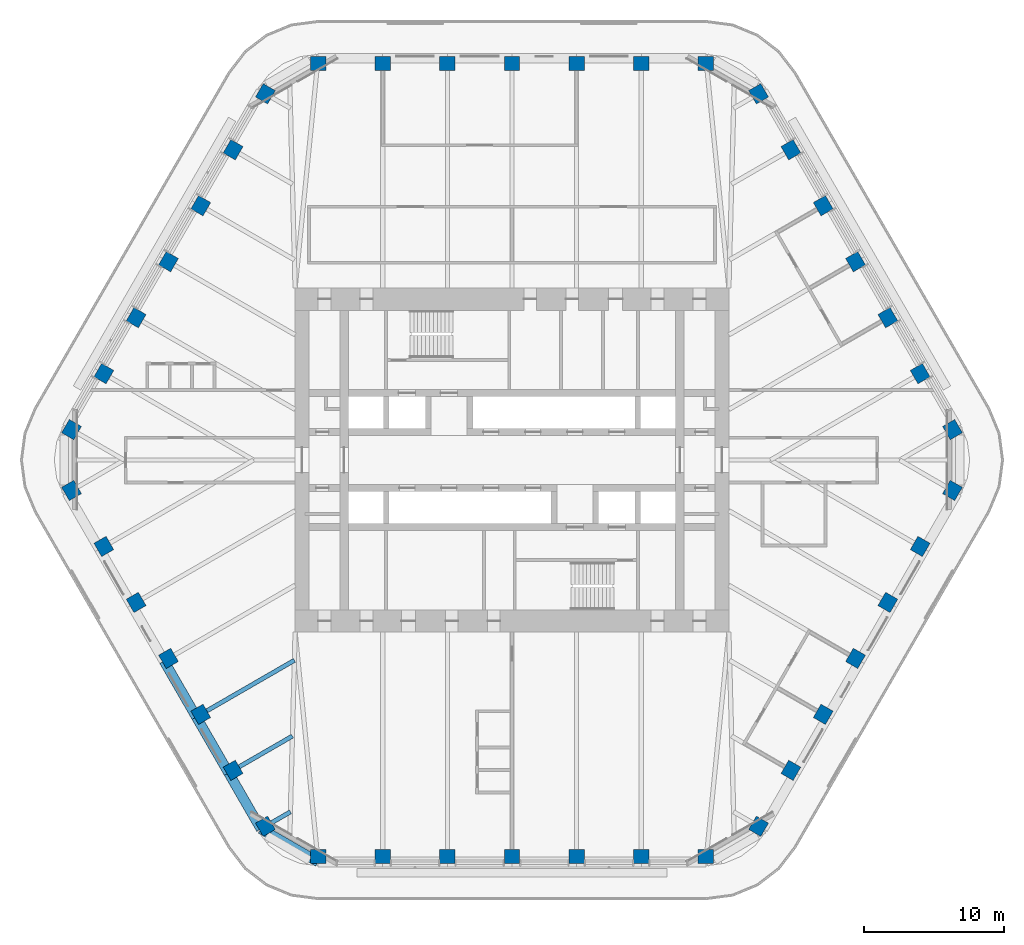
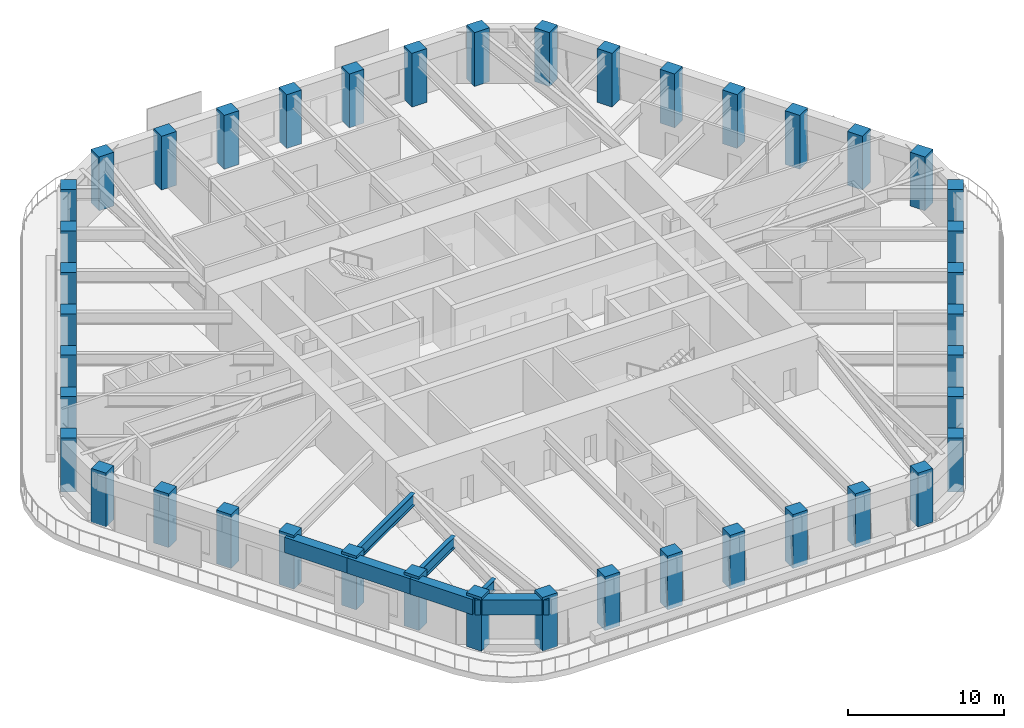
# One storey, part 1 of 20: 42 columns, 7 beams.
"""IFC4 building model written with IfcOpenShell, lengths in metres."""

import ifcopenshell
import ifcopenshell.guid

model = None  # the IFC model being written
_history = None  # IfcOwnerHistory: only IFC2X3 demands one
_inside = {}  # id of a spatial element -> (the spatial element, [elements in it])
_under = {}  # id of a project, library or spatial element -> (it, [spatial elements below it])
_declared = {}  # id of a project -> (the project, [libraries it declares])
_typed = {}  # id of a type object -> (the type object, [elements of that type])
_made_of = {}  # id of a material, layer set ... -> (it, [elements and type objects made of it])


def new_model(schema):
    """Start an empty IFC model of exactly this schema.

    Asked for "IFC4X3", IfcOpenShell would pick the latest addendum, in which some entities
    have other attributes; the version numbers below select the first issue.
    IFC2X3 requires an IfcOwnerHistory on every rooted entity: one is made here for all.
    """
    global model, _history
    if schema == "IFC4X3":
        model = ifcopenshell.file(schema_version=(4, 3, 0, 0))
    else:
        model = ifcopenshell.file(schema=schema)
    _inside.clear()
    _under.clear()
    _declared.clear()
    _typed.clear()
    _made_of.clear()
    _history = None
    if model.schema == "IFC2X3":
        org = make("IfcOrganization", Name="unknown")
        user = make(
            "IfcPersonAndOrganization",
            ThePerson=make("IfcPerson", FamilyName="unknown"),
            TheOrganization=org,
        )
        app = make(
            "IfcApplication",
            ApplicationDeveloper=org,
            Version="unknown",
            ApplicationFullName="unknown",
            ApplicationIdentifier="unknown",
        )
        _history = make(
            "IfcOwnerHistory",
            OwningUser=user,
            OwningApplication=app,
            ChangeAction="ADDED",
            CreationDate=0,
        )
    return model


def make(cls, **values):
    """One entity of the class cls with the attributes given. An attribute that is None is left unset."""
    return model.create_entity(
        cls, **{name: value for name, value in values.items() if value is not None}
    )


def rooted(cls, **values):
    """An entity with a GlobalId (a new one), such as an element, a storey or a relation."""
    return make(cls, GlobalId=ifcopenshell.guid.new(), OwnerHistory=_history, **values)


def si_unit(unit_type, name, prefix=None):
    """IfcSIUnit, for example si_unit("LENGTHUNIT", "METRE", prefix="MILLI")."""
    return make("IfcSIUnit", UnitType=unit_type, Prefix=prefix, Name=name)


def assignment(units):
    """IfcUnitAssignment: the units of a project."""
    return None if units is None else make("IfcUnitAssignment", Units=units)


def point(xyz):
    """IfcCartesianPoint."""
    return None if xyz is None else make("IfcCartesianPoint", Coordinates=xyz)


def direction(xyz):
    """IfcDirection."""
    return None if xyz is None else make("IfcDirection", DirectionRatios=xyz)


def frame(location, z_axis=None, x_axis=None):
    """IfcAxis2Placement3D, a coordinate frame: its origin and axes. An axis left out is left unset."""
    return make(
        "IfcAxis2Placement3D",
        Location=point(location),
        Axis=direction(z_axis),
        RefDirection=direction(x_axis),
    )


def frame_2d(location, x_axis=None):
    """IfcAxis2Placement2D, a coordinate frame in the plane: its origin and x axis."""
    return make(
        "IfcAxis2Placement2D", Location=point(location), RefDirection=direction(x_axis)
    )


def origin():
    """The frame at (0, 0, 0) with its axes left unset."""
    return frame((0.0, 0.0, 0.0))


def origin_2d():
    """The frame at (0, 0) in the plane with its x axis left unset."""
    return frame_2d((0.0, 0.0))


def place(relative_to, where):
    """IfcLocalPlacement: puts the frame where relative to a parent placement (None: the world)."""
    return make(
        "IfcLocalPlacement", PlacementRelTo=relative_to, RelativePlacement=where
    )


def context(
    kind, dimensions, precision=None, world=None, true_north=None, identifier=None
):
    """IfcGeometricRepresentationContext, for example the 3D "Model" context."""
    return make(
        "IfcGeometricRepresentationContext",
        ContextIdentifier=identifier,
        ContextType=kind,
        CoordinateSpaceDimension=dimensions,
        Precision=precision,
        WorldCoordinateSystem=world,
        TrueNorth=true_north,
    )


def subcontext(parent, identifier, kind, view, scale=None):
    """IfcGeometricRepresentationSubContext, for example "Body" below "Model"."""
    return make(
        "IfcGeometricRepresentationSubContext",
        ContextIdentifier=identifier,
        ContextType=kind,
        ParentContext=parent,
        TargetScale=scale,
        TargetView=view,
    )


def project(units=None, contexts=None):
    """IfcProject with its units and contexts."""
    return rooted(
        "IfcProject",
        Name="project",
        RepresentationContexts=contexts,
        UnitsInContext=assignment(units),
    )


def spatial(cls, under=None, at=None, **own):
    """A site, building, storey or space (cls), placed at a placement, below another one or the project."""
    s = rooted(cls, ObjectPlacement=at, **own)
    if under is not None:
        _under.setdefault(under.id(), (under, []))[1].append(s)
    return s


def profile(cls, at=None, kind="AREA", **sizes):
    """A parametric profile (cls). Its sizes go by their IFC names, for example OverallWidth=200.0."""
    return make(cls, ProfileType=kind, Position=at, **sizes)


def rectangle(**sizes):
    """IfcRectangleProfileDef."""
    return profile("IfcRectangleProfileDef", **sizes)


def i_section(**sizes):
    """IfcIShapeProfileDef."""
    return profile("IfcIShapeProfileDef", **sizes)


def extrude(swept, where, along, depth):
    """IfcExtrudedAreaSolid: the profile swept, set in the frame where, extruded along a direction by depth."""
    return make(
        "IfcExtrudedAreaSolid",
        SweptArea=swept,
        Position=where,
        ExtrudedDirection=direction(along),
        Depth=depth,
    )


def shape(context_of_items, identifier, shape_type, items):
    """IfcShapeRepresentation: the items that make up one representation, for example the "Body"."""
    return make(
        "IfcShapeRepresentation",
        ContextOfItems=context_of_items,
        RepresentationIdentifier=identifier,
        RepresentationType=shape_type,
        Items=items,
    )


def material(Name=None, Category=None):
    """IfcMaterial."""
    return make("IfcMaterial", Name=Name, Category=Category)


def material_profile(
    of_material, cross_section, Name=None, Category=None, Priority=None
):
    """IfcMaterialProfile: a cross section and its material."""
    return make(
        "IfcMaterialProfile",
        Name=Name,
        Material=of_material,
        Profile=cross_section,
        Priority=Priority,
        Category=Category,
    )


def profile_set(profiles, Name=None, composite=None):
    """IfcMaterialProfileSet."""
    return make(
        "IfcMaterialProfileSet",
        Name=Name,
        MaterialProfiles=profiles,
        CompositeProfile=composite,
    )


def made_of(thing, what):
    """Note that an element or type object is made of a material, layer set ...; save() writes the relation."""
    if what is not None:
        _made_of.setdefault(what.id(), (what, []))[1].append(thing)
    return thing


def type_object(cls, material=None, **own):
    """A type object (cls), such as IfcWallType, which elements share."""
    return made_of(rooted(cls, **own), material)


def element(
    cls,
    number,
    at=None,
    inside=None,
    cuts=None,
    type_object=None,
    material=None,
    context=None,
    identifier="Body",
    shape_type=None,
    held_by="IfcProductDefinitionShape",
    body=None,
    shapes=None,
    **own,
):
    """One element of the class cls, such as IfcWall. Its Tag is "e" and its number.

    at: its placement. inside: the storey or other place that contains it. cuts: it is an
    opening in that element (IfcRelVoidsElement). A single representation is given by context,
    identifier, shape_type and body (its items); several are given by shapes. held_by: the class
    of the entity that holds the representations. save() writes the other relations.
    """
    e = rooted(cls, Tag="e%d" % number, ObjectPlacement=at, **own)
    if body is not None:
        shapes = [shape(context, identifier, shape_type, body)]
    if shapes is not None:
        e.Representation = make(held_by, Representations=shapes)
    if inside is not None:
        _inside.setdefault(inside.id(), (inside, []))[1].append(e)
    if cuts is not None:
        rooted(
            "IfcRelVoidsElement", RelatingBuildingElement=cuts, RelatedOpeningElement=e
        )
    if type_object is not None:
        _typed.setdefault(type_object.id(), (type_object, []))[1].append(e)
    return made_of(e, material)


def aggregate(whole, parts):
    """IfcRelAggregates: a whole, such as a stair, and the parts it consists of."""
    return rooted("IfcRelAggregates", RelatingObject=whole, RelatedObjects=parts)


def save(model, path):
    """Write the relations noted so far, then the file.

    IfcRelAggregates (storeys below a building ...), IfcRelContainedInSpatialStructure (elements
    in a storey), IfcRelDefinesByType, IfcRelAssociatesMaterial and IfcRelDeclares: one each for
    every whole, place, type object, material and project.
    """
    for whole, parts in _under.values():
        aggregate(whole, parts)
    for where, things in _inside.values():
        rooted(
            "IfcRelContainedInSpatialStructure",
            RelatedElements=things,
            RelatingStructure=where,
        )
    for kind, things in _typed.values():
        rooted("IfcRelDefinesByType", RelatedObjects=things, RelatingType=kind)
    for what, things in _made_of.values():
        rooted("IfcRelAssociatesMaterial", RelatedObjects=things, RelatingMaterial=what)
    for by, libraries in _declared.values():
        rooted("IfcRelDeclares", RelatingContext=by, RelatedDefinitions=libraries)
    model.write(path)


model = new_model("IFC4")

# Units and contexts
model_context = context("Model", 3, precision=1e-05, world=origin(), true_north=direction((0.0, 1.0)))
body_context = subcontext(model_context, "Body", "Model", "MODEL_VIEW")
ifc_project = project(units=[si_unit("LENGTHUNIT", "METRE"), si_unit("AREAUNIT", "SQUARE_METRE"), si_unit("VOLUMEUNIT", "CUBIC_METRE"), si_unit("PLANEANGLEUNIT", "RADIAN"), si_unit("MASSUNIT", "GRAM", prefix="KILO")], contexts=[model_context])

# Site, building, storey
site_placement = place(None, origin())
site = spatial("IfcSite", under=ifc_project, at=site_placement, CompositionType="ELEMENT")
building_placement = place(site_placement, origin())
building = spatial("IfcBuilding", under=site, at=building_placement, Name="Tarfa Lantern Tower", CompositionType="ELEMENT")
storey_placement = place(building_placement, frame((0.0, 0.0, 278.5)))
storey = spatial("IfcBuildingStorey", under=building, at=storey_placement, Name="L63", CompositionType="ELEMENT", Elevation=278.5)

# Columns
ifc_material_1 = material(Name="Concrete C80/95", Category="concrete")
ifc_material_profile_1 = material_profile(ifc_material_1, rectangle(XDim=1.10009765625, YDim=1.0, at=origin_2d()), Name="RC 1100x1000")
ifc_profile_set_1 = profile_set([ifc_material_profile_1], Name="Concrete C80/95")
column_type = type_object("IfcColumnType", Name="TC12 RC 1100x1000", PredefinedType="COLUMN", material=ifc_profile_set_1)
for number, where, z_axis, x_axis, name in (
    (1, (31.47998046875, 2.175048828125, 0.0), (0.0, 0.0, 1.0), (-0.5, 0.866025403784, 0.0), "Tube column NE0"),
    (2, (29.170654296875, 6.175048828125, 0.0), (0.0, 0.0, 1.0), (-0.5, 0.866025403784, 0.0), "Tube column NE1"),
    (3, (26.861328125, 10.175048828125, 0.0), (0.0, 0.0, 1.0), (-0.5, 0.866025403784, 0.0), "Tube column NE2"),
    (4, (24.5517578125, 14.175048828125, 0.0), (0.0, 0.0, 1.0), (-0.5, 0.866025403784, 0.0), "Tube column NE3"),
    (5, (22.242431640625, 18.175048828125, 0.0), (0.0, 0.0, 1.0), (-0.5, 0.866025403784, 0.0), "Tube column NE4"),
    (6, (19.93310546875, 22.175048828125, 0.0), (0.0, 0.0, 1.0), (-0.5, 0.866025403784, 0.0), "Tube column NE5"),
    (7, (17.62353515625, 26.175048828125, 0.0), (0.0, 0.0, 1.0), (-0.5, 0.866025403784, 0.0), "Tube column NE6"),
    (8, (13.8564453125, 28.35009765625, 0.0), (0.0, 0.0, 1.0), (-1.0, 0.0, 0.0), "Tube column N0"),
    (9, (9.237548828125, 28.35009765625, 0.0), (0.0, 0.0, 1.0), (-1.0, 0.0, 0.0), "Tube column N1"),
    (10, (4.618896484375, 28.35009765625, 0.0), (0.0, 0.0, 1.0), (-1.0, 0.0, 0.0), "Tube column N2"),
    (11, (0.0, 28.35009765625, 0.0), (0.0, 0.0, 1.0), (-1.0, 0.0, 0.0), "Tube column N3"),
    (12, (-4.618896484375, 28.35009765625, 0.0), (0.0, 0.0, 1.0), (-1.0, 0.0, 0.0), "Tube column N4"),
    (13, (-9.237548828125, 28.35009765625, 0.0), (0.0, 0.0, 1.0), (-1.0, 0.0, 0.0), "Tube column N5"),
    (14, (-13.8564453125, 28.35009765625, 0.0), (0.0, 0.0, 1.0), (-1.0, 0.0, 0.0), "Tube column N6"),
    (15, (-17.62353515625, 26.175048828125, 0.0), (0.0, 0.0, 1.0), (-0.5, -0.866025403784, 0.0), "Tube column NW0"),
    (16, (-19.93310546875, 22.175048828125, 0.0), (0.0, 0.0, 1.0), (-0.5, -0.866025403784, 0.0), "Tube column NW1"),
    (17, (-22.242431640625, 18.175048828125, 0.0), (0.0, 0.0, 1.0), (-0.5, -0.866025403784, 0.0), "Tube column NW2"),
    (18, (-24.5517578125, 14.175048828125, 0.0), (0.0, 0.0, 1.0), (-0.5, -0.866025403784, 0.0), "Tube column NW3"),
    (19, (-26.861328125, 10.175048828125, 0.0), (0.0, 0.0, 1.0), (-0.5, -0.866025403784, 0.0), "Tube column NW4"),
    (20, (-29.170654296875, 6.175048828125, 0.0), (0.0, 0.0, 1.0), (-0.5, -0.866025403784, 0.0), "Tube column NW5"),
    (21, (-31.47998046875, 2.175048828125, 0.0), (0.0, 0.0, 1.0), (-0.5, -0.866025403784, 0.0), "Tube column NW6"),
    (22, (-31.47998046875, -2.175048828125, 0.0), (0.0, 0.0, 1.0), (0.5, -0.866025403784, 0.0), "Tube column SW0"),
    (23, (-29.170654296875, -6.175048828125, 0.0), (0.0, 0.0, 1.0), (0.5, -0.866025403784, 0.0), "Tube column SW1"),
    (24, (-26.861328125, -10.175048828125, 0.0), (0.0, 0.0, 1.0), (0.5, -0.866025403784, 0.0), "Tube column SW2"),
    (25, (-24.5517578125, -14.175048828125, 0.0), (0.0, 0.0, 1.0), (0.5, -0.866025403784, 0.0), "Tube column SW3"),
    (26, (-22.242431640625, -18.175048828125, 0.0), (0.0, 0.0, 1.0), (0.5, -0.866025403784, 0.0), "Tube column SW4"),
    (27, (-19.93310546875, -22.175048828125, 0.0), (0.0, 0.0, 1.0), (0.5, -0.866025403784, 0.0), "Tube column SW5"),
    (28, (-17.62353515625, -26.175048828125, 0.0), (0.0, 0.0, 1.0), (0.5, -0.866025403784, 0.0), "Tube column SW6"),
    (29, (-13.8564453125, -28.35009765625, 0.0), (0.0, 0.0, 1.0), (1.0, 0.0, 0.0), "Tube column S0"),
    (30, (-9.237548828125, -28.35009765625, 0.0), (0.0, 0.0, 1.0), (1.0, 0.0, 0.0), "Tube column S1"),
    (31, (-4.618896484375, -28.35009765625, 0.0), (0.0, 0.0, 1.0), (1.0, 0.0, 0.0), "Tube column S2"),
    (32, (0.0, -28.35009765625, 0.0), (0.0, 0.0, 1.0), (1.0, 0.0, 0.0), "Tube column S3"),
    (33, (4.618896484375, -28.35009765625, 0.0), (0.0, 0.0, 1.0), (1.0, 0.0, 0.0), "Tube column S4"),
    (34, (9.237548828125, -28.35009765625, 0.0), (0.0, 0.0, 1.0), (1.0, 0.0, 0.0), "Tube column S5"),
    (35, (13.8564453125, -28.35009765625, 0.0), (0.0, 0.0, 1.0), (1.0, 0.0, 0.0), "Tube column S6"),
    (36, (17.62353515625, -26.175048828125, 0.0), (0.0, 0.0, 1.0), (0.5, 0.866025403784, 0.0), "Tube column SE0"),
    (37, (19.93310546875, -22.175048828125, 0.0), (0.0, 0.0, 1.0), (0.5, 0.866025403784, 0.0), "Tube column SE1"),
    (38, (22.242431640625, -18.175048828125, 0.0), (0.0, 0.0, 1.0), (0.5, 0.866025403784, 0.0), "Tube column SE2"),
    (39, (24.5517578125, -14.175048828125, 0.0), (0.0, 0.0, 1.0), (0.5, 0.866025403784, 0.0), "Tube column SE3"),
    (40, (26.861328125, -10.175048828125, 0.0), (0.0, 0.0, 1.0), (0.5, 0.866025403784, 0.0), "Tube column SE4"),
    (41, (29.170654296875, -6.175048828125, 0.0), (0.0, 0.0, 1.0), (0.5, 0.866025403784, 0.0), "Tube column SE5"),
    (42, (31.47998046875, -2.175048828125, 0.0), (0.0, 0.0, 1.0), (0.5, 0.866025403784, 0.0), "Tube column SE6"),
):
    element("IfcColumn", number, at=place(storey_placement, frame(where, z_axis=z_axis, x_axis=x_axis)), inside=storey, type_object=column_type, Name=name, PredefinedType="COLUMN", context=body_context, shape_type="SweptSolid", body=[
        extrude(rectangle(XDim=1.10009765625, YDim=1.0, at=origin_2d()), origin(), (0.0, 0.0, 1.0), 4.199951171875),
    ])

# Beams
ifc_material_profile_2 = material_profile(ifc_material_1, rectangle(XDim=0.699951171875, YDim=1.199951171875, at=origin_2d()), Name="RC 700x1200")
ifc_profile_set_2 = profile_set([ifc_material_profile_2], Name="Concrete C80/95")
beam_type_1 = type_object("IfcBeamType", Name="EB3 RC 700x1200", PredefinedType="SPANDREL", material=ifc_profile_set_2)
beam_1_placement = place(storey_placement, frame((-24.872314453125, -14.360107421875, 3.39990234375), z_axis=(0.500027479704, -0.866009537788, 0.0), x_axis=(0.866009537788, 0.500027479704, 0.0)))
element("IfcBeam", 43, at=beam_1_placement, inside=storey, type_object=beam_type_1, Name="Edge beam SW3", PredefinedType="SPANDREL", context=body_context, shape_type="SweptSolid", body=[
    extrude(rectangle(XDim=0.699951171875, YDim=1.199951171875, at=origin_2d()), origin(), (0.0, 0.0, 1.0), 4.618896484375),
])
for number, where, z_axis, x_axis, name in (
    (44, (-22.562744140625, -18.360107421875, 3.39990234375), (0.499987836815, -0.866032426089, 0.0), (0.866032426089, 0.499987836815, 0.0), "Edge beam SW4"),
    (45, (-20.25341796875, -22.360107421875, 3.39990234375), (0.499987836815, -0.866032426089, 0.0), (0.866032426089, 0.499987836815, 0.0), "Edge beam SW5"),
):
    element("IfcBeam", number, at=place(storey_placement, frame(where, z_axis=z_axis, x_axis=x_axis)), inside=storey, type_object=beam_type_1, Name=name, PredefinedType="SPANDREL", context=body_context, shape_type="SweptSolid", body=[
        extrude(rectangle(XDim=0.699951171875, YDim=1.199951171875, at=origin_2d()), origin(), (0.0, 0.0, 1.0), 4.61865234375),
    ])
beam_2_placement = place(storey_placement, frame((-17.944091796875, -26.360107421875, 3.39990234375), z_axis=(0.866038294681, -0.499977671647, 0.0), x_axis=(0.499977671647, 0.866038294681, 0.0)))
element("IfcBeam", 46, at=beam_2_placement, inside=storey, type_object=beam_type_1, Name="Edge beam SW6", PredefinedType="SPANDREL", context=body_context, shape_type="SweptSolid", body=[
    extrude(rectangle(XDim=0.699951171875, YDim=1.199951171875, at=origin_2d()), origin(), (0.0, 0.0, 1.0), 4.719970703125),
])
ifc_material_2 = material(Name="Steel S460M", Category="steel")
ifc_material_profile_3 = material_profile(ifc_material_2, i_section(OverallWidth=0.305419921875, OverallDepth=0.91845703125, WebThickness=0.017333984375, FlangeThickness=0.02783203125, FilletRadius=0.01904296875, at=origin_2d()), Name="UB914x305x253")
ifc_profile_set_3 = profile_set([ifc_material_profile_3], Name="Steel S460M")
beam_type_2 = type_object("IfcBeamType", Name="UB914x305x253", PredefinedType="BEAM", material=ifc_profile_set_3)
beam_3_placement = place(storey_placement, frame((-22.562744140625, -18.360107421875, 3.540771484375), z_axis=(0.866010787764, 0.500025314835, 0.0), x_axis=(-0.500025314835, 0.866010787764, 0.0)))
element("IfcBeam", 47, at=beam_3_placement, inside=storey, type_object=beam_type_2, Name="Floor beam SW4", PredefinedType="BEAM", context=body_context, shape_type="SweptSolid", body=[
    extrude(i_section(OverallWidth=0.305419921875, OverallDepth=0.91845703125, WebThickness=0.017333984375, FlangeThickness=0.02783203125, FilletRadius=0.01904296875, at=origin_2d()), origin(), (0.0, 0.0, 1.0), 8.09423828125),
])
beam_4_placement = place(storey_placement, frame((-20.25341796875, -22.360107421875, 3.540771484375), z_axis=(0.86601951648, 0.500010196972, 0.0), x_axis=(-0.500010196972, 0.86601951648, 0.0)))
element("IfcBeam", 48, at=beam_4_placement, inside=storey, type_object=beam_type_2, Name="Floor beam SW5", PredefinedType="BEAM", context=body_context, shape_type="SweptSolid", body=[
    extrude(i_section(OverallWidth=0.305419921875, OverallDepth=0.91845703125, WebThickness=0.017333984375, FlangeThickness=0.02783203125, FilletRadius=0.01904296875, at=origin_2d()), origin(), (0.0, 0.0, 1.0), 5.263671875),
])
beam_5_placement = place(storey_placement, frame((-17.944091796875, -26.360107421875, 3.540771484375), z_axis=(0.865980009423, 0.5000786171, 0.0), x_axis=(-0.5000786171, 0.865980009423, 0.0)))
element("IfcBeam", 49, at=beam_5_placement, inside=storey, type_object=beam_type_2, Name="Floor beam SW6", PredefinedType="BEAM", context=body_context, shape_type="SweptSolid", body=[
    extrude(i_section(OverallWidth=0.305419921875, OverallDepth=0.91845703125, WebThickness=0.017333984375, FlangeThickness=0.02783203125, FilletRadius=0.01904296875, at=origin_2d()), origin(), (0.0, 0.0, 1.0), 2.4326171875),
])

save(model, "model.ifc")
